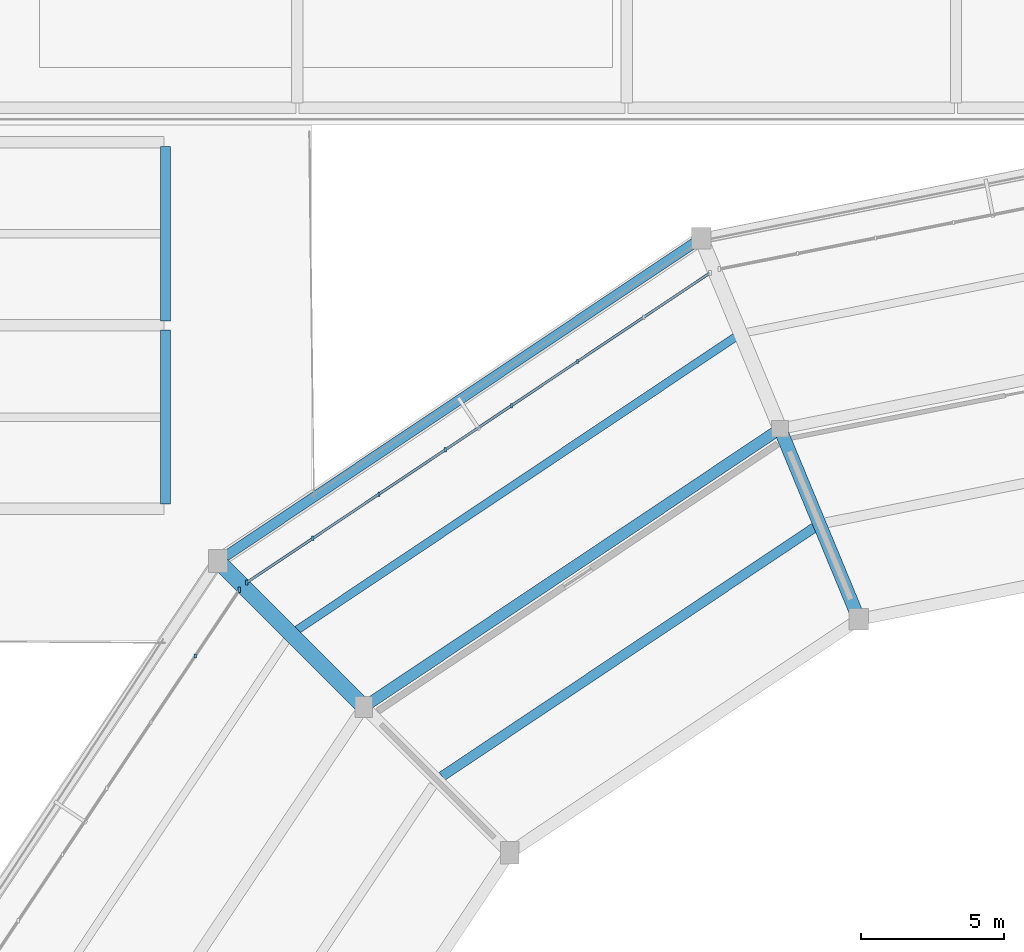
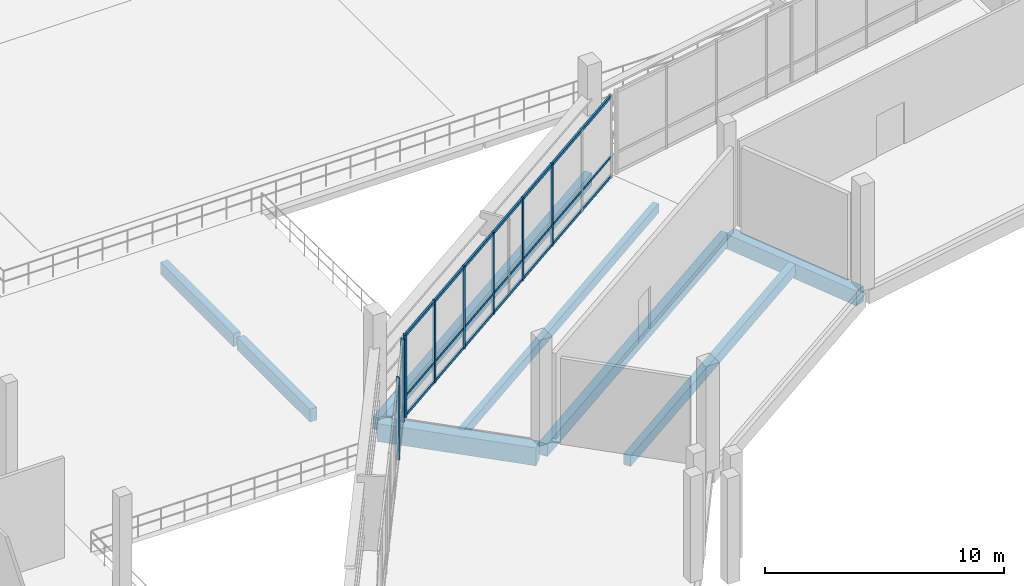
# One storey, part 45 of 111: 11 members, 8 beams, 2 elements without a shape of their own.
"""IFC4 building model written with IfcOpenShell, lengths in metres."""

from ifc_helpers import new_model, si_unit, direction, frame, origin, origin_2d, place, context, subcontext, project, spatial, rectangle, extrude, material, material_profile, profile_set, type_object, element, aggregate, save


model = new_model("IFC4")

# Units and contexts
model_context = context("Model", 3, precision=1e-05, world=origin(), true_north=direction((0.0, 1.0)))
body_context = subcontext(model_context, "Body", "Model", "MODEL_VIEW")
ifc_project = project(units=[si_unit("LENGTHUNIT", "METRE"), si_unit("AREAUNIT", "SQUARE_METRE"), si_unit("VOLUMEUNIT", "CUBIC_METRE"), si_unit("PLANEANGLEUNIT", "RADIAN"), si_unit("MASSUNIT", "GRAM", prefix="KILO")], contexts=[model_context])

# Site, building, storey
site_placement = place(None, origin())
site = spatial("IfcSite", under=ifc_project, at=site_placement, CompositionType="ELEMENT")
building_placement = place(site_placement, origin())
building = spatial("IfcBuilding", under=site, at=building_placement, Name="Candeia Ridge Stadium", CompositionType="ELEMENT")
storey_placement = place(building_placement, frame((0.0, 0.0, 16.199951171875)))
storey = spatial("IfcBuildingStorey", under=building, at=storey_placement, Name="L03", CompositionType="ELEMENT", Elevation=16.199951171875)

# Curtain wall, member
ifc_material_1 = material(Name="Aluminium Anodized Warm Bronze", Category="aluminium")
curtain_wall_type = type_object("IfcCurtainWallType", Name="Concourse Recessed Unitised Curtain Wall", PredefinedType="NOTDEFINED", material=ifc_material_1)
curtain_wall_1_placement = place(storey_placement, origin())
curtain_wall_1 = element("IfcCurtainWall", 1, at=curtain_wall_1_placement, inside=storey, type_object=curtain_wall_type, Name="Unitised curtain wall CW-BWL-L03-08", PredefinedType="NOTDEFINED")
ifc_material_profile_1 = material_profile(ifc_material_1, rectangle(XDim=0.090087890625, YDim=0.179931640625, at=origin_2d()), Name="CWM-90x180", Category="aluminium")
ifc_profile_set_1 = profile_set([ifc_material_profile_1], Name="Aluminium Anodized Warm Bronze")
member_type_1 = type_object("IfcMemberType", Name="Curtain Wall Primary Mullion 90x180", PredefinedType="MULLION", material=ifc_profile_set_1)
member_1_placement = place(storey_placement, frame((35.228515625, 131.02099609375, 0.0), z_axis=(0.0, 0.0, 1.0), x_axis=(1.0, 0.0, 0.0)))
member_1 = element("IfcMember", 2, at=member_1_placement, type_object=member_type_1, Name="Curtain wall mullion CW-BWL-L03-08-M7", PredefinedType="MULLION", context=body_context, shape_type="SweptSolid", body=[
    extrude(rectangle(XDim=0.090087890625, YDim=0.179931640625, at=origin_2d()), origin(), (0.0, 0.0, 1.0), 4.205078125),
])

curtain_wall_2_placement = place(storey_placement, origin())
curtain_wall_2 = element("IfcCurtainWall", 3, at=curtain_wall_2_placement, inside=storey, type_object=curtain_wall_type, Name="Unitised curtain wall CW-BWL-L03-09", PredefinedType="NOTDEFINED")
member_2_placement = place(storey_placement, frame((34.97900390625, 130.771484375, 0.0), z_axis=(0.0, 0.0, 1.0), x_axis=(1.0, 0.0, 0.0)))
member_2 = element("IfcMember", 4, at=member_2_placement, type_object=member_type_1, Name="Curtain wall mullion CW-BWL-L03-09-M0", PredefinedType="MULLION", context=body_context, shape_type="SweptSolid", body=[
    extrude(rectangle(XDim=0.090087890625, YDim=0.179931640625, at=origin_2d()), origin(), (0.0, 0.0, 1.0), 4.205078125),
])

# Member
ifc_material_profile_2 = material_profile(ifc_material_1, rectangle(XDim=0.074951171875, YDim=0.14990234375, at=origin_2d()), Name="CWM-75x150", Category="aluminium")
ifc_profile_set_2 = profile_set([ifc_material_profile_2], Name="Aluminium Anodized Warm Bronze")
member_type_2 = type_object("IfcMemberType", Name="Curtain Wall Secondary Mullion 75x150", PredefinedType="MULLION", material=ifc_profile_set_2)
member_3_placement = place(storey_placement, frame((46.78662109375, 138.743896484375, 0.0), z_axis=(0.0, 0.0, 1.0), x_axis=(1.0, 0.0, 0.0)))
member_3 = element("IfcMember", 5, at=member_3_placement, type_object=member_type_2, Name="Curtain wall mullion CW-BWL-L03-08-M2", PredefinedType="MULLION", context=body_context, shape_type="SweptSolid", body=[
    extrude(rectangle(XDim=0.074951171875, YDim=0.14990234375, at=origin_2d()), origin(), (0.0, 0.0, 1.0), 4.205078125),
])

member_4_placement = place(storey_placement, frame((44.47509765625, 137.19921875, 0.0), z_axis=(0.0, 0.0, 1.0), x_axis=(1.0, 0.0, 0.0)))
member_4 = element("IfcMember", 6, at=member_4_placement, type_object=member_type_2, Name="Curtain wall mullion CW-BWL-L03-08-M3", PredefinedType="MULLION", context=body_context, shape_type="SweptSolid", body=[
    extrude(rectangle(XDim=0.074951171875, YDim=0.14990234375, at=origin_2d()), origin(), (0.0, 0.0, 1.0), 4.205078125),
])

member_5_placement = place(storey_placement, frame((42.16357421875, 135.65478515625, 0.0), z_axis=(0.0, 0.0, 1.0), x_axis=(1.0, 0.0, 0.0)))
member_5 = element("IfcMember", 7, at=member_5_placement, type_object=member_type_2, Name="Curtain wall mullion CW-BWL-L03-08-M4", PredefinedType="MULLION", context=body_context, shape_type="SweptSolid", body=[
    extrude(rectangle(XDim=0.074951171875, YDim=0.14990234375, at=origin_2d()), origin(), (0.0, 0.0, 1.0), 4.205078125),
])

member_6_placement = place(storey_placement, frame((39.851806640625, 134.110107421875, 0.0), z_axis=(0.0, 0.0, 1.0), x_axis=(1.0, 0.0, 0.0)))
member_6 = element("IfcMember", 8, at=member_6_placement, type_object=member_type_2, Name="Curtain wall mullion CW-BWL-L03-08-M5", PredefinedType="MULLION", context=body_context, shape_type="SweptSolid", body=[
    extrude(rectangle(XDim=0.074951171875, YDim=0.14990234375, at=origin_2d()), origin(), (0.0, 0.0, 1.0), 4.205078125),
])

member_7_placement = place(storey_placement, frame((37.540283203125, 132.565673828125, 0.0), z_axis=(0.0, 0.0, 1.0), x_axis=(1.0, 0.0, 0.0)))
member_7 = element("IfcMember", 9, at=member_7_placement, type_object=member_type_2, Name="Curtain wall mullion CW-BWL-L03-08-M6", PredefinedType="MULLION", context=body_context, shape_type="SweptSolid", body=[
    extrude(rectangle(XDim=0.074951171875, YDim=0.14990234375, at=origin_2d()), origin(), (0.0, 0.0, 1.0), 4.205078125),
])

member_8_placement = place(storey_placement, frame((33.434326171875, 128.459716796875, 0.0), z_axis=(0.0, 0.0, 1.0), x_axis=(1.0, 0.0, 0.0)))
member_8 = element("IfcMember", 10, at=member_8_placement, type_object=member_type_2, Name="Curtain wall mullion CW-BWL-L03-09-M1", PredefinedType="MULLION", context=body_context, shape_type="SweptSolid", body=[
    extrude(rectangle(XDim=0.074951171875, YDim=0.14990234375, at=origin_2d()), origin(), (0.0, 0.0, 1.0), 4.205078125),
])

aggregate(curtain_wall_2, [member_2, member_8])

ifc_material_profile_3 = material_profile(ifc_material_1, rectangle(XDim=0.074951171875, YDim=0.110107421875, at=origin_2d()), Name="CWT-75x110", Category="aluminium")
ifc_profile_set_3 = profile_set([ifc_material_profile_3], Name="Aluminium Anodized Warm Bronze")
member_type_3 = type_object("IfcMemberType", Name="Curtain Wall Secondary Transom 75x110", PredefinedType="USERDEFINED", material=ifc_profile_set_3)
member_9_placement = place(storey_placement, frame((51.409912109375, 141.8330078125, 1.05126953125), z_axis=(-0.831470840517, -0.555568394863, 0.0), x_axis=(0.555568394863, -0.831470840517, 0.0)))
member_9 = element("IfcMember", 11, at=member_9_placement, type_object=member_type_3, Name="Curtain wall transom CW-BWL-L03-08-T1", ObjectType="TRANSOM", PredefinedType="USERDEFINED", context=body_context, shape_type="SweptSolid", body=[
    extrude(rectangle(XDim=0.074951171875, YDim=0.110107421875, at=origin_2d()), origin(), (0.0, 0.0, 1.0), 19.461181640625),
])

ifc_material_profile_4 = material_profile(ifc_material_1, rectangle(XDim=0.090087890625, YDim=0.139892578125, at=origin_2d()), Name="CWT-90x140", Category="aluminium")
ifc_profile_set_4 = profile_set([ifc_material_profile_4], Name="Aluminium Anodized Warm Bronze")
member_type_4 = type_object("IfcMemberType", Name="Curtain Wall Transom 90x140", PredefinedType="USERDEFINED", material=ifc_profile_set_4)
member_10_placement = place(storey_placement, frame((51.409912109375, 141.8330078125, 0.070068359375), z_axis=(-0.831470840517, -0.555568394863, 0.0), x_axis=(0.555568394863, -0.831470840517, 0.0)))
member_10 = element("IfcMember", 12, at=member_10_placement, type_object=member_type_4, Name="Curtain wall transom CW-BWL-L03-08-T0", ObjectType="TRANSOM", PredefinedType="USERDEFINED", context=body_context, shape_type="SweptSolid", body=[
    extrude(rectangle(XDim=0.090087890625, YDim=0.139892578125, at=origin_2d()), origin(), (0.0, 0.0, 1.0), 19.461181640625),
])

member_11_placement = place(storey_placement, frame((51.409912109375, 141.8330078125, 4.135009765625), z_axis=(-0.831470840517, -0.555568394863, 0.0), x_axis=(0.555568394863, -0.831470840517, 0.0)))
member_11 = element("IfcMember", 13, at=member_11_placement, type_object=member_type_4, Name="Curtain wall transom CW-BWL-L03-08-T2", ObjectType="TRANSOM", PredefinedType="USERDEFINED", context=body_context, shape_type="SweptSolid", body=[
    extrude(rectangle(XDim=0.090087890625, YDim=0.139892578125, at=origin_2d()), origin(), (0.0, 0.0, 1.0), 19.461181640625),
])

aggregate(curtain_wall_1, [member_3, member_4, member_5, member_6, member_7, member_1, member_10, member_9, member_11])

# Beams
ifc_material_2 = material(Name="Concrete C40/50", Category="concrete")
ifc_material_profile_5 = material_profile(ifc_material_2, rectangle(XDim=0.2900390625, YDim=0.469970703125, at=origin_2d()), Name="RC290x470", Category="concrete")
ifc_profile_set_5 = profile_set([ifc_material_profile_5], Name="Concrete C40/50")
beam_type_1 = type_object("IfcBeamType", Name="Floor Joist RC290x470", PredefinedType="JOIST", material=ifc_profile_set_5)
beam_1_placement = place(storey_placement, frame((52.29345703125, 139.592529296875, -0.48486328125), z_axis=(-0.831467306639, -0.555573683674, 0.0), x_axis=(0.555573683674, -0.831467306639, 0.0)))
element("IfcBeam", 14, at=beam_1_placement, inside=storey, type_object=beam_type_1, Name="Concourse secondary joist BM-L03-0592", PredefinedType="JOIST", context=body_context, shape_type="SweptSolid", body=[
    extrude(rectangle(XDim=0.2900390625, YDim=0.469970703125, at=origin_2d()), origin(), (0.0, 0.0, 1.0), 18.440673828125),
])
ifc_material_profile_6 = material_profile(ifc_material_2, rectangle(XDim=0.340087890625, YDim=0.5400390625, at=origin_2d()), Name="RC340x540", Category="concrete")
ifc_profile_set_6 = profile_set([ifc_material_profile_6], Name="Concrete C40/50")
beam_type_2 = type_object("IfcBeamType", Name="Floor Joist RC340x540", PredefinedType="JOIST", material=ifc_profile_set_6)
beam_2_placement = place(storey_placement, frame((55.048828125, 132.9404296875, -0.52001953125), z_axis=(-0.831470752017, -0.555568527312, 0.0), x_axis=(0.555568527312, -0.831470752017, 0.0)))
element("IfcBeam", 15, at=beam_2_placement, inside=storey, type_object=beam_type_2, Name="Concourse secondary joist BM-L03-0591", PredefinedType="JOIST", context=body_context, shape_type="SweptSolid", body=[
    extrude(rectangle(XDim=0.340087890625, YDim=0.5400390625, at=origin_2d()), origin(), (0.0, 0.0, 1.0), 15.63134765625),
])
ifc_material_profile_7 = material_profile(ifc_material_2, rectangle(XDim=0.389892578125, YDim=0.639892578125, at=origin_2d()), Name="RC390x640", Category="concrete")
ifc_profile_set_7 = profile_set([ifc_material_profile_7], Name="Concrete C40/50")
beam_type_3 = type_object("IfcBeamType", Name="Frame Girder RC390x640", PredefinedType="BEAM", material=ifc_profile_set_7)
beam_3_placement = place(storey_placement, frame((53.72265625, 136.301025390625, -0.570068359375), z_axis=(-0.831467614091, -0.555573223542, 0.0), x_axis=(0.555573223542, -0.831467614091, 0.0)))
element("IfcBeam", 16, at=beam_3_placement, inside=storey, type_object=beam_type_3, Name="Concourse spine girder BM-L03-0589", PredefinedType="BEAM", context=body_context, shape_type="SweptSolid", body=[
    extrude(rectangle(XDim=0.389892578125, YDim=0.639892578125, at=origin_2d()), origin(), (0.0, 0.0, 1.0), 17.16015625),
])
ifc_material_profile_8 = material_profile(ifc_material_2, rectangle(XDim=0.469970703125, YDim=0.760009765625, at=origin_2d()), Name="RC470x760", Category="concrete")
ifc_profile_set_8 = profile_set([ifc_material_profile_8], Name="Concrete C40/50")
beam_type_4 = type_object("IfcBeamType", Name="Frame Girder RC470x760", PredefinedType="BEAM", material=ifc_profile_set_8)
beam_4_placement = place(storey_placement, frame((56.5498046875, 129.8857421875, -0.6298828125), z_axis=(-0.382681914982, 0.923880161031, 0.0), x_axis=(-0.923880161031, -0.382681914982, 0.0)))
element("IfcBeam", 17, at=beam_4_placement, inside=storey, type_object=beam_type_4, Name="Bowl radial girder BM-L03-0497", PredefinedType="BEAM", context=body_context, shape_type="SweptSolid", body=[
    extrude(rectangle(XDim=0.469970703125, YDim=0.760009765625, at=origin_2d()), origin(), (0.0, 0.0, 1.0), 6.8798828125),
])
ifc_material_3 = material(Name="Concrete C45/55", Category="concrete")
ifc_material_profile_9 = material_profile(ifc_material_3, rectangle(XDim=0.550048828125, YDim=0.919921875, at=origin_2d()), Name="RC550x920", Category="concrete")
ifc_profile_set_9 = profile_set([ifc_material_profile_9], Name="Concrete C45/55")
beam_type_5 = type_object("IfcBeamType", Name="Frame Girder RC550x920", PredefinedType="BEAM", material=ifc_profile_set_9)
beam_5_placement = place(storey_placement, frame((39.20849609375, 126.79150390625, -0.7099609375), z_axis=(-0.707106781187, 0.707106781187, 0.0), x_axis=(-0.707106781187, -0.707106781187, 0.0)))
element("IfcBeam", 18, at=beam_5_placement, inside=storey, type_object=beam_type_5, Name="Bowl radial girder BM-L03-0500", PredefinedType="BEAM", context=body_context, shape_type="SweptSolid", body=[
    extrude(rectangle(XDim=0.550048828125, YDim=0.919921875, at=origin_2d()), origin(), (0.0, 0.0, 1.0), 6.880126953125),
])
ifc_material_profile_10 = material_profile(ifc_material_2, rectangle(XDim=0.35009765625, YDim=0.64990234375, at=origin_2d()), Name="RC350x650", Category="concrete")
ifc_profile_set_10 = profile_set([ifc_material_profile_10], Name="Concrete C40/50")
beam_type_6 = type_object("IfcBeamType", Name="Spandrel Beam RC350x650", PredefinedType="SPANDREL", material=ifc_profile_set_10)
beam_6_placement = place(storey_placement, frame((50.967529296875, 142.952880859375, -0.574951171875), z_axis=(-0.831468647505, -0.555571676938, 0.0), x_axis=(0.555571676938, -0.831468647505, 0.0)))
element("IfcBeam", 19, at=beam_6_placement, inside=storey, type_object=beam_type_6, Name="Bowl perimeter spandrel BM-L03-0590", PredefinedType="SPANDREL", context=body_context, shape_type="SweptSolid", body=[
    extrude(rectangle(XDim=0.35009765625, YDim=0.64990234375, at=origin_2d()), origin(), (0.0, 0.0, 1.0), 19.969482421875),
])
for number, where, z_axis, x_axis, name in (
    (20, (32.39990234375, 133.760009765625, -0.574951171875), (0.0, 1.0, 0.0), (-1.0, 0.0, 0.0), "Structural girder BM-L03-2388"),
    (21, (32.39990234375, 140.159912109375, -0.60498046875), (0.0, 1.0, 0.0), (-1.0, 0.0, 0.0), "Structural girder BM-L03-2389"),
):
    element("IfcBeam", number, at=place(storey_placement, frame(where, z_axis=z_axis, x_axis=x_axis)), inside=storey, type_object=beam_type_6, Name=name, PredefinedType="SPANDREL", context=body_context, shape_type="SweptSolid", body=[
        extrude(rectangle(XDim=0.35009765625, YDim=0.64990234375, at=origin_2d()), origin(), (0.0, 0.0, 1.0), 6.080078125),
    ])

save(model, "model.ifc")
